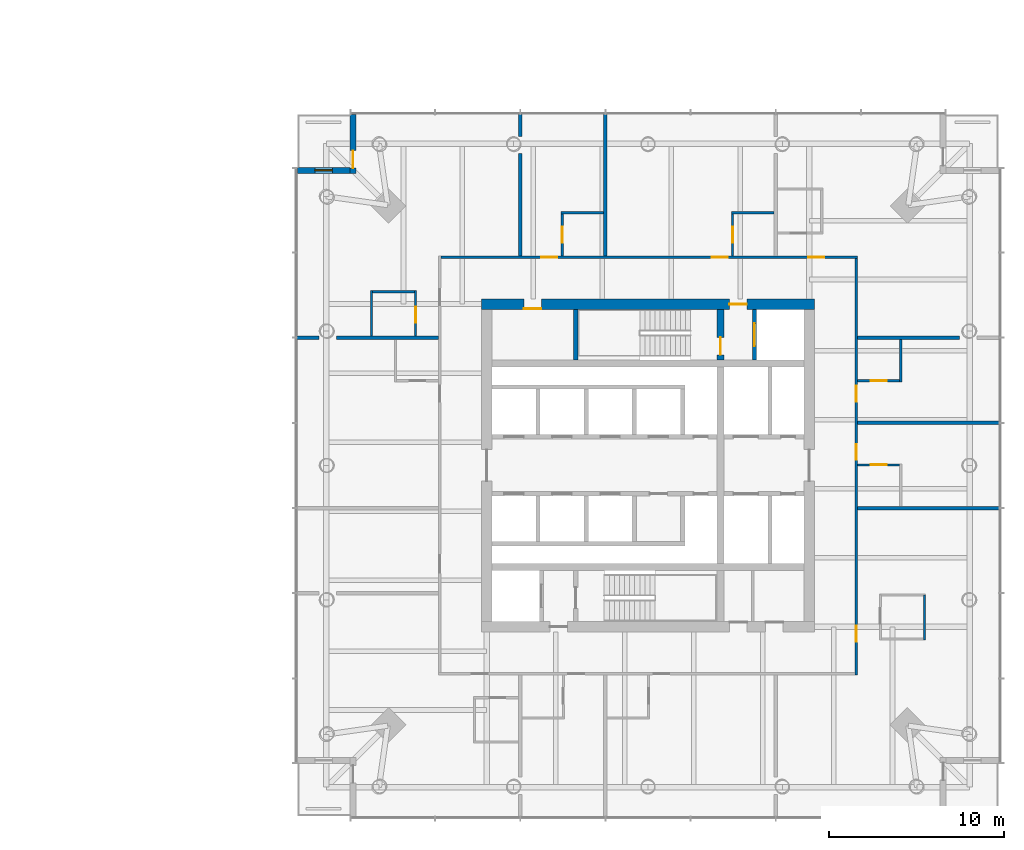
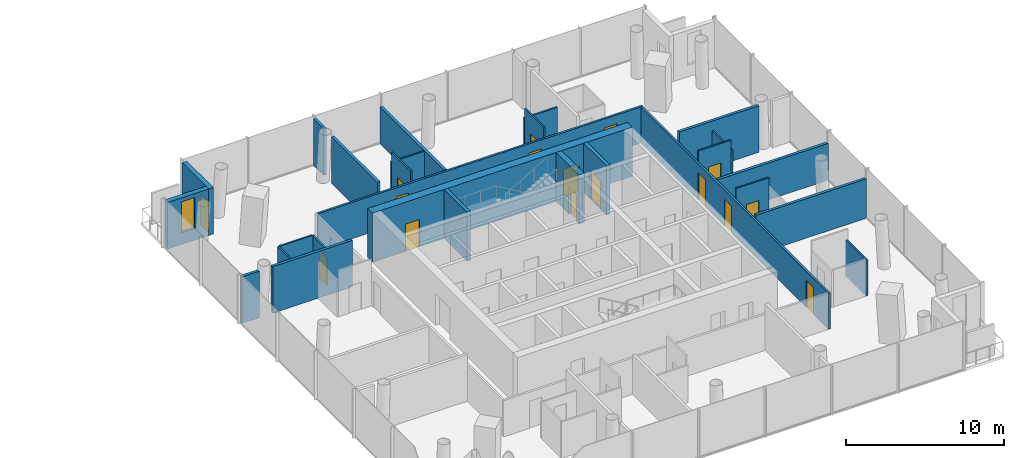
# One storey, part 15 of 26: 27 walls, 16 doors, 1 window, 17 openings.
"""IFC4 building model written with IfcOpenShell, lengths in metres."""

import ifcopenshell
import ifcopenshell.guid

model = None  # the IFC model being written
_history = None  # IfcOwnerHistory: only IFC2X3 demands one
_inside = {}  # id of a spatial element -> (the spatial element, [elements in it])
_under = {}  # id of a project, library or spatial element -> (it, [spatial elements below it])
_declared = {}  # id of a project -> (the project, [libraries it declares])
_typed = {}  # id of a type object -> (the type object, [elements of that type])
_made_of = {}  # id of a material, layer set ... -> (it, [elements and type objects made of it])


def new_model(schema):
    """Start an empty IFC model of exactly this schema.

    Asked for "IFC4X3", IfcOpenShell would pick the latest addendum, in which some entities
    have other attributes; the version numbers below select the first issue.
    IFC2X3 requires an IfcOwnerHistory on every rooted entity: one is made here for all.
    """
    global model, _history
    if schema == "IFC4X3":
        model = ifcopenshell.file(schema_version=(4, 3, 0, 0))
    else:
        model = ifcopenshell.file(schema=schema)
    _inside.clear()
    _under.clear()
    _declared.clear()
    _typed.clear()
    _made_of.clear()
    _history = None
    if model.schema == "IFC2X3":
        org = make("IfcOrganization", Name="unknown")
        user = make(
            "IfcPersonAndOrganization",
            ThePerson=make("IfcPerson", FamilyName="unknown"),
            TheOrganization=org,
        )
        app = make(
            "IfcApplication",
            ApplicationDeveloper=org,
            Version="unknown",
            ApplicationFullName="unknown",
            ApplicationIdentifier="unknown",
        )
        _history = make(
            "IfcOwnerHistory",
            OwningUser=user,
            OwningApplication=app,
            ChangeAction="ADDED",
            CreationDate=0,
        )
    return model


def make(cls, **values):
    """One entity of the class cls with the attributes given. An attribute that is None is left unset."""
    return model.create_entity(
        cls, **{name: value for name, value in values.items() if value is not None}
    )


def rooted(cls, **values):
    """An entity with a GlobalId (a new one), such as an element, a storey or a relation."""
    return make(cls, GlobalId=ifcopenshell.guid.new(), OwnerHistory=_history, **values)


def si_unit(unit_type, name, prefix=None):
    """IfcSIUnit, for example si_unit("LENGTHUNIT", "METRE", prefix="MILLI")."""
    return make("IfcSIUnit", UnitType=unit_type, Prefix=prefix, Name=name)


def assignment(units):
    """IfcUnitAssignment: the units of a project."""
    return None if units is None else make("IfcUnitAssignment", Units=units)


def point(xyz):
    """IfcCartesianPoint."""
    return None if xyz is None else make("IfcCartesianPoint", Coordinates=xyz)


def direction(xyz):
    """IfcDirection."""
    return None if xyz is None else make("IfcDirection", DirectionRatios=xyz)


def frame(location, z_axis=None, x_axis=None):
    """IfcAxis2Placement3D, a coordinate frame: its origin and axes. An axis left out is left unset."""
    return make(
        "IfcAxis2Placement3D",
        Location=point(location),
        Axis=direction(z_axis),
        RefDirection=direction(x_axis),
    )


def frame_2d(location, x_axis=None):
    """IfcAxis2Placement2D, a coordinate frame in the plane: its origin and x axis."""
    return make(
        "IfcAxis2Placement2D", Location=point(location), RefDirection=direction(x_axis)
    )


def origin():
    """The frame at (0, 0, 0) with its axes left unset."""
    return frame((0.0, 0.0, 0.0))


def place(relative_to, where):
    """IfcLocalPlacement: puts the frame where relative to a parent placement (None: the world)."""
    return make(
        "IfcLocalPlacement", PlacementRelTo=relative_to, RelativePlacement=where
    )


def context(
    kind, dimensions, precision=None, world=None, true_north=None, identifier=None
):
    """IfcGeometricRepresentationContext, for example the 3D "Model" context."""
    return make(
        "IfcGeometricRepresentationContext",
        ContextIdentifier=identifier,
        ContextType=kind,
        CoordinateSpaceDimension=dimensions,
        Precision=precision,
        WorldCoordinateSystem=world,
        TrueNorth=true_north,
    )


def subcontext(parent, identifier, kind, view, scale=None):
    """IfcGeometricRepresentationSubContext, for example "Body" below "Model"."""
    return make(
        "IfcGeometricRepresentationSubContext",
        ContextIdentifier=identifier,
        ContextType=kind,
        ParentContext=parent,
        TargetScale=scale,
        TargetView=view,
    )


def project(units=None, contexts=None):
    """IfcProject with its units and contexts."""
    return rooted(
        "IfcProject",
        Name="project",
        RepresentationContexts=contexts,
        UnitsInContext=assignment(units),
    )


def spatial(cls, under=None, at=None, **own):
    """A site, building, storey or space (cls), placed at a placement, below another one or the project."""
    s = rooted(cls, ObjectPlacement=at, **own)
    if under is not None:
        _under.setdefault(under.id(), (under, []))[1].append(s)
    return s


def profile(cls, at=None, kind="AREA", **sizes):
    """A parametric profile (cls). Its sizes go by their IFC names, for example OverallWidth=200.0."""
    return make(cls, ProfileType=kind, Position=at, **sizes)


def rectangle(**sizes):
    """IfcRectangleProfileDef."""
    return profile("IfcRectangleProfileDef", **sizes)


def extrude(swept, where, along, depth):
    """IfcExtrudedAreaSolid: the profile swept, set in the frame where, extruded along a direction by depth."""
    return make(
        "IfcExtrudedAreaSolid",
        SweptArea=swept,
        Position=where,
        ExtrudedDirection=direction(along),
        Depth=depth,
    )


def shape(context_of_items, identifier, shape_type, items):
    """IfcShapeRepresentation: the items that make up one representation, for example the "Body"."""
    return make(
        "IfcShapeRepresentation",
        ContextOfItems=context_of_items,
        RepresentationIdentifier=identifier,
        RepresentationType=shape_type,
        Items=items,
    )


def material(Name=None, Category=None):
    """IfcMaterial."""
    return make("IfcMaterial", Name=Name, Category=Category)


def layer(
    of_material, thickness, ventilated=None, Name=None, Category=None, Priority=None
):
    """IfcMaterialLayer: one layer of a wall or slab, of a material (None: an air gap)."""
    return make(
        "IfcMaterialLayer",
        Material=of_material,
        LayerThickness=thickness,
        IsVentilated=ventilated,
        Name=Name,
        Category=Category,
        Priority=Priority,
    )


def layer_set(layers, Name=None):
    """IfcMaterialLayerSet."""
    return make("IfcMaterialLayerSet", MaterialLayers=layers, LayerSetName=Name)


def made_of(thing, what):
    """Note that an element or type object is made of a material, layer set ...; save() writes the relation."""
    if what is not None:
        _made_of.setdefault(what.id(), (what, []))[1].append(thing)
    return thing


def type_object(cls, material=None, **own):
    """A type object (cls), such as IfcWallType, which elements share."""
    return made_of(rooted(cls, **own), material)


def element(
    cls,
    number,
    at=None,
    inside=None,
    cuts=None,
    type_object=None,
    material=None,
    context=None,
    identifier="Body",
    shape_type=None,
    held_by="IfcProductDefinitionShape",
    body=None,
    shapes=None,
    **own,
):
    """One element of the class cls, such as IfcWall. Its Tag is "e" and its number.

    at: its placement. inside: the storey or other place that contains it. cuts: it is an
    opening in that element (IfcRelVoidsElement). A single representation is given by context,
    identifier, shape_type and body (its items); several are given by shapes. held_by: the class
    of the entity that holds the representations. save() writes the other relations.
    """
    e = rooted(cls, Tag="e%d" % number, ObjectPlacement=at, **own)
    if body is not None:
        shapes = [shape(context, identifier, shape_type, body)]
    if shapes is not None:
        e.Representation = make(held_by, Representations=shapes)
    if inside is not None:
        _inside.setdefault(inside.id(), (inside, []))[1].append(e)
    if cuts is not None:
        rooted(
            "IfcRelVoidsElement", RelatingBuildingElement=cuts, RelatedOpeningElement=e
        )
    if type_object is not None:
        _typed.setdefault(type_object.id(), (type_object, []))[1].append(e)
    return made_of(e, material)


def fill(opening, filler):
    """IfcRelFillsElement: the door or window that sits in an opening."""
    return rooted(
        "IfcRelFillsElement",
        RelatingOpeningElement=opening,
        RelatedBuildingElement=filler,
    )


def aggregate(whole, parts):
    """IfcRelAggregates: a whole, such as a stair, and the parts it consists of."""
    return rooted("IfcRelAggregates", RelatingObject=whole, RelatedObjects=parts)


def save(model, path):
    """Write the relations noted so far, then the file.

    IfcRelAggregates (storeys below a building ...), IfcRelContainedInSpatialStructure (elements
    in a storey), IfcRelDefinesByType, IfcRelAssociatesMaterial and IfcRelDeclares: one each for
    every whole, place, type object, material and project.
    """
    for whole, parts in _under.values():
        aggregate(whole, parts)
    for where, things in _inside.values():
        rooted(
            "IfcRelContainedInSpatialStructure",
            RelatedElements=things,
            RelatingStructure=where,
        )
    for kind, things in _typed.values():
        rooted("IfcRelDefinesByType", RelatedObjects=things, RelatingType=kind)
    for what, things in _made_of.values():
        rooted("IfcRelAssociatesMaterial", RelatedObjects=things, RelatingMaterial=what)
    for by, libraries in _declared.values():
        rooted("IfcRelDeclares", RelatingContext=by, RelatedDefinitions=libraries)
    model.write(path)


model = new_model("IFC4")

# Units and contexts
model_context = context("Model", 3, precision=1e-05, world=origin(), true_north=direction((0.0, 1.0)))
body_context = subcontext(model_context, "Body", "Model", "MODEL_VIEW")
ifc_project = project(units=[si_unit("LENGTHUNIT", "METRE"), si_unit("AREAUNIT", "SQUARE_METRE"), si_unit("VOLUMEUNIT", "CUBIC_METRE"), si_unit("PLANEANGLEUNIT", "RADIAN"), si_unit("MASSUNIT", "GRAM", prefix="KILO")], contexts=[model_context])

# Site, building, storey
site_placement = place(None, origin())
site = spatial("IfcSite", under=ifc_project, at=site_placement, CompositionType="ELEMENT")
building_placement = place(site_placement, origin())
building = spatial("IfcBuilding", under=site, at=building_placement, Name="Ostroluk Exchange", CompositionType="ELEMENT")
storey_placement = place(building_placement, frame((0.0, 0.0, 36.199951171875)))
storey = spatial("IfcBuildingStorey", under=building, at=storey_placement, Name="L08", CompositionType="ELEMENT", Elevation=36.199951171875)

# Wall, opening, door
ifc_material_1 = material(Name="Concrete C50/60", Category="concrete")
ifc_layer_1 = layer(ifc_material_1, 0.39990234375)
ifc_layer_set_1 = layer_set([ifc_layer_1], Name="Core cross wall 400 C50/60")
wall_type_1 = type_object("IfcWallType", Name="Core cross wall 400 C50/60", PredefinedType="SHEAR", material=ifc_layer_set_1)
wall_1_placement = place(storey_placement, frame((121.1298828125, 52.0, 0.0), z_axis=(0.0, 0.0, 1.0), x_axis=(0.0, 1.0, 0.0)))
wall_1 = element("IfcWall", 1, at=wall_1_placement, inside=storey, type_object=wall_type_1, Name="T2 core wall YE3", PredefinedType="SHEAR", context=body_context, shape_type="SweptSolid", body=[
    extrude(rectangle(XDim=2.89990234375, YDim=0.39990234375, at=frame_2d((1.449951171875, 0.0))), origin(), (0.0, 0.0, 1.0), 3.800048828125),
])
opening_1_placement = place(wall_1_placement, frame((0.300048828125, 0.0, 0.0)))
opening_1 = element("IfcOpeningElement", 2, at=opening_1_placement, cuts=wall_1, Name="Opening FD60", PredefinedType="OPENING", context=body_context, shape_type="SweptSolid", body=[
    extrude(rectangle(XDim=1.0, YDim=2.10009765625, at=frame_2d((0.5, 1.050048828125))), frame((0.0, 0.2099609375, 0.0), z_axis=(0.0, -1.0, 0.0), x_axis=(1.0, 0.0, 0.0)), (0.0, 0.0, 1.0), 0.419921875),
])
ifc_material_2 = material(Name="Steel", Category="steel")
door_type_1 = type_object("IfcDoorType", Name="Fire door EI 60 1000 x 2100", OperationType="SINGLE_SWING_LEFT", PredefinedType="DOOR", material=ifc_material_2)
door_1_placement = place(opening_1_placement, origin())
door_1 = element("IfcDoor", 3, at=door_1_placement, inside=storey, type_object=door_type_1, Name="Stair T2-S2 door", OperationType="SINGLE_SWING_LEFT", OverallHeight=2.10009765625, OverallWidth=1.0, PredefinedType="DOOR", context=body_context, shape_type="SweptSolid", body=[
    extrude(rectangle(XDim=1.0, YDim=2.10009765625, at=frame_2d((0.5, 1.050048828125))), frame((0.0, 0.02490234375, 0.0), z_axis=(0.0, -1.0, 0.0), x_axis=(1.0, 0.0, 0.0)), (0.0, 0.0, 1.0), 0.050048828125),
])
fill(opening_1, door_1)

# Wall
ifc_material_3 = material(Name="Concrete C40/50", Category="concrete")
ifc_layer_2 = layer(ifc_material_3, 0.25)
ifc_layer_set_2 = layer_set([ifc_layer_2], Name="Core shaft wall 250")
wall_type_2 = type_object("IfcWallType", Name="Core shaft wall 250", PredefinedType="SHEAR", material=ifc_layer_set_2)
wall_2_placement = place(storey_placement, frame((112.875, 52.0, 0.0), z_axis=(0.0, 0.0, 1.0), x_axis=(0.0, 1.0, 0.0)))
element("IfcWall", 4, at=wall_2_placement, inside=storey, type_object=wall_type_2, Name="Stair shaft wall", PredefinedType="SHEAR", context=body_context, shape_type="SweptSolid", body=[
    extrude(rectangle(XDim=2.89990234375, YDim=0.25, at=frame_2d((1.449951171875, 0.0))), origin(), (0.0, 0.0, 1.0), 3.800048828125),
])

# Wall, opening, door
wall_3_placement = place(storey_placement, frame((123.074951171875, 52.0, 0.0), z_axis=(0.0, 0.0, 1.0), x_axis=(0.0, 1.0, 0.0)))
wall_3 = element("IfcWall", 5, at=wall_3_placement, inside=storey, type_object=wall_type_2, Name="Firefighting lift shaft wall", PredefinedType="SHEAR", context=body_context, shape_type="SweptSolid", body=[
    extrude(rectangle(XDim=2.89990234375, YDim=0.25, at=frame_2d((1.449951171875, 0.0))), origin(), (0.0, 0.0, 1.0), 3.800048828125),
])
opening_2_placement = place(wall_3_placement, frame((0.800048828125, 0.0, 0.0)))
opening_2 = element("IfcOpeningElement", 6, at=opening_2_placement, cuts=wall_3, Name="Opening LD2", PredefinedType="OPENING", context=body_context, shape_type="SweptSolid", body=[
    extrude(rectangle(XDim=1.300048828125, YDim=2.199951171875, at=frame_2d((0.64990234375, 1.10009765625))), frame((0.0, 0.135009765625, 0.0), z_axis=(0.0, -1.0, 0.0), x_axis=(1.0, 0.0, 0.0)), (0.0, 0.0, 1.0), 0.27001953125),
])
ifc_material_4 = material(Name="Stainless steel", Category="steel")
door_type_2 = type_object("IfcDoorType", Name="Lift landing door E 60 1300 x 2200", OperationType="DOUBLE_DOOR_SLIDING", PredefinedType="DOOR", material=ifc_material_4)
door_2_placement = place(opening_2_placement, origin())
door_2 = element("IfcDoor", 7, at=door_2_placement, inside=storey, type_object=door_type_2, Name="Lift HF2 landing door", OperationType="DOUBLE_DOOR_SLIDING", OverallHeight=2.199951171875, OverallWidth=1.300048828125, PredefinedType="DOOR", context=body_context, shape_type="SweptSolid", body=[
    extrude(rectangle(XDim=1.300048828125, YDim=2.199951171875, at=frame_2d((0.64990234375, 1.10009765625))), frame((0.0, 0.02490234375, 0.0), z_axis=(0.0, -1.0, 0.0), x_axis=(1.0, 0.0, 0.0)), (0.0, 0.0, 1.0), 0.050048828125),
])
fill(opening_2, door_2)

# Wall, openings, doors
ifc_material_5 = material(Name="Concrete C50/60", Category="concrete")
ifc_layer_3 = layer(ifc_material_5, 0.60009765625)
ifc_layer_set_3 = layer_set([ifc_layer_3], Name="Core wall 600 C50/60")
wall_type_3 = type_object("IfcWallType", Name="Core wall 600 C50/60", PredefinedType="SHEAR", material=ifc_layer_set_3)
wall_4_placement = place(storey_placement, frame((107.5, 55.199951171875, 0.0), z_axis=(0.0, 0.0, 1.0), x_axis=(1.0, 0.0, 0.0)))
wall_4 = element("IfcWall", 8, at=wall_4_placement, inside=storey, type_object=wall_type_3, Name="T2 core wall N", PredefinedType="SHEAR", context=body_context, shape_type="SweptSolid", body=[
    extrude(rectangle(XDim=19.0, YDim=0.60009765625, at=frame_2d((9.5, 0.0))), origin(), (0.0, 0.0, 1.0), 3.800048828125),
])
opening_3_placement = place(wall_4_placement, frame((14.139892578125, 0.0, 0.0)))
opening_3 = element("IfcOpeningElement", 9, at=opening_3_placement, cuts=wall_4, Name="Opening FD60", PredefinedType="OPENING", context=body_context, shape_type="SweptSolid", body=[
    extrude(rectangle(XDim=1.0, YDim=2.10009765625, at=frame_2d((0.5, 1.050048828125))), frame((0.0, 0.31005859375, 0.0), z_axis=(0.0, -1.0, 0.0), x_axis=(1.0, 0.0, 0.0)), (0.0, 0.0, 1.0), 0.6201171875),
])
opening_4_placement = place(wall_4_placement, frame((2.425048828125, 0.0, 0.0)))
opening_4 = element("IfcOpeningElement", 10, at=opening_4_placement, cuts=wall_4, Name="Opening FD60", PredefinedType="OPENING", context=body_context, shape_type="SweptSolid", body=[
    extrude(rectangle(XDim=1.0, YDim=2.10009765625, at=frame_2d((0.5, 1.050048828125))), frame((0.0, 0.31005859375, 0.0), z_axis=(0.0, -1.0, 0.0), x_axis=(1.0, 0.0, 0.0)), (0.0, 0.0, 1.0), 0.6201171875),
])
door_3_placement = place(opening_3_placement, origin())
door_3 = element("IfcDoor", 11, at=door_3_placement, inside=storey, type_object=door_type_1, Name="Firefighting lobby door", OperationType="SINGLE_SWING_RIGHT", OverallHeight=2.10009765625, OverallWidth=1.0, PredefinedType="DOOR", context=body_context, shape_type="SweptSolid", body=[
    extrude(rectangle(XDim=1.0, YDim=2.10009765625, at=frame_2d((0.5, 1.050048828125))), frame((0.0, 0.02490234375, 0.0), z_axis=(0.0, -1.0, 0.0), x_axis=(1.0, 0.0, 0.0)), (0.0, 0.0, 1.0), 0.050048828125),
])
fill(opening_3, door_3)
door_4_placement = place(opening_4_placement, origin())
door_4 = element("IfcDoor", 12, at=door_4_placement, inside=storey, type_object=door_type_1, Name="Guest pantry door", OperationType="SINGLE_SWING_LEFT", OverallHeight=2.10009765625, OverallWidth=1.0, PredefinedType="DOOR", context=body_context, shape_type="SweptSolid", body=[
    extrude(rectangle(XDim=1.0, YDim=2.10009765625, at=frame_2d((0.5, 1.050048828125))), frame((0.0, -0.23974609375, 0.0), z_axis=(0.0, -1.0, 0.0), x_axis=(1.0, 0.0, 0.0)), (0.0, 0.0, 1.0), 0.050048828125),
])
fill(opening_4, door_4)

# Wall, opening, door
ifc_material_6 = material(Name="Limestone", Category="masonry")
ifc_layer_4 = layer(ifc_material_6, 0.35009765625)
ifc_layer_set_4 = layer_set([ifc_layer_4], Name="Limestone facade wall 350")
wall_type_4 = type_object("IfcWallType", Name="Limestone facade wall 350", PredefinedType="SOLIDWALL", material=ifc_layer_set_4)
wall_5_placement = place(storey_placement, frame((100.175048828125, 66.0, 0.0), z_axis=(0.0, 0.0, 1.0), x_axis=(0.0, -1.0, 0.0)))
wall_5 = element("IfcWall", 13, at=wall_5_placement, inside=storey, type_object=wall_type_4, Name="Hotel tower NW corner wall L08 a", PredefinedType="SOLIDWALL", context=body_context, shape_type="SweptSolid", body=[
    extrude(rectangle(XDim=3.35009765625, YDim=0.35009765625, at=frame_2d((1.675048828125, 0.0))), origin(), (0.0, 0.0, 1.0), 3.60009765625),
])
opening_5_placement = place(wall_5_placement, frame((2.050048828125, 0.0, 0.0)))
opening_5 = element("IfcOpeningElement", 14, at=opening_5_placement, cuts=wall_5, Name="Opening D-B1", PredefinedType="OPENING", context=body_context, shape_type="SweptSolid", body=[
    extrude(rectangle(XDim=1.0, YDim=2.39990234375, at=frame_2d((0.5, 1.199951171875))), frame((0.0, 0.18505859375, 0.0), z_axis=(0.0, -1.0, 0.0), x_axis=(1.0, 0.0, 0.0)), (0.0, 0.0, 1.0), 0.3701171875),
])
ifc_material_7 = material(Name="Bronze framed glazed door", Category="aluminium")
door_type_3 = type_object("IfcDoorType", Name="Balcony door 1000 x 2400", OperationType="SINGLE_SWING_LEFT", PredefinedType="DOOR", material=ifc_material_7)
door_5_placement = place(opening_5_placement, origin())
door_5 = element("IfcDoor", 15, at=door_5_placement, inside=storey, type_object=door_type_3, Name="Hotel tower NW balcony door L08", OperationType="SINGLE_SWING_RIGHT", OverallHeight=2.39990234375, OverallWidth=1.0, PredefinedType="DOOR", context=body_context, shape_type="SweptSolid", body=[
    extrude(rectangle(XDim=1.0, YDim=2.39990234375, at=frame_2d((0.5, 1.199951171875))), frame((0.0, 0.02490234375, 0.0), z_axis=(0.0, -1.0, 0.0), x_axis=(1.0, 0.0, 0.0)), (0.0, 0.0, 1.0), 0.050048828125),
])
fill(opening_5, door_5)

# Wall, opening, window
wall_6_placement = place(storey_placement, frame((100.0, 62.824951171875, 0.0), z_axis=(0.0, 0.0, 1.0), x_axis=(-1.0, 0.0, 0.0)))
wall_6 = element("IfcWall", 16, at=wall_6_placement, inside=storey, type_object=wall_type_4, Name="Hotel tower NW corner wall L08 b", PredefinedType="SOLIDWALL", context=body_context, shape_type="SweptSolid", body=[
    extrude(rectangle(XDim=3.0, YDim=0.35009765625, at=frame_2d((1.5, 0.0))), origin(), (0.0, 0.0, 1.0), 3.60009765625),
])
opening_6_placement = place(wall_6_placement, frame((1.0, 0.0, 0.89990234375)))
opening_6 = element("IfcOpeningElement", 17, at=opening_6_placement, cuts=wall_6, Name="Opening WN-L3", PredefinedType="OPENING", context=body_context, shape_type="SweptSolid", body=[
    extrude(rectangle(XDim=1.0, YDim=2.39990234375, at=frame_2d((0.5, 1.199951171875))), frame((0.0, 0.18505859375, 0.0), z_axis=(0.0, -1.0, 0.0), x_axis=(1.0, 0.0, 0.0)), (0.0, 0.0, 1.0), 0.3701171875),
])
ifc_material_8 = material(Name="Laminated clear glass", Category="glass")
window_type = type_object("IfcWindowType", Name="Hotel lancet window 1000 x 2400", PartitioningType="SINGLE_PANEL", PredefinedType="WINDOW", material=ifc_material_8)
window_placement = place(opening_6_placement, origin())
window = element("IfcWindow", 18, at=window_placement, inside=storey, type_object=window_type, Name="Hotel tower NW lancet window L08", OverallHeight=2.39990234375, OverallWidth=1.0, PartitioningType="SINGLE_PANEL", PredefinedType="WINDOW", context=body_context, shape_type="SweptSolid", body=[
    extrude(rectangle(XDim=1.0, YDim=2.39990234375, at=frame_2d((0.5, 1.199951171875))), frame((0.0, 0.030029296875, 0.0), z_axis=(0.0, -1.0, 0.0), x_axis=(1.0, 0.0, 0.0)), (0.0, 0.0, 1.0), 0.06005859375),
])
fill(opening_6, window)

# Wall
ifc_material_9 = material(Name="Gypsum plasterboard partition, moisture resistant", Category="gypsum")
ifc_layer_5 = layer(ifc_material_9, 0.1201171875)
ifc_layer_set_5 = layer_set([ifc_layer_5], Name="Plasterboard en-suite wall 120")
wall_type_5 = type_object("IfcWallType", Name="Plasterboard en-suite wall 120", PredefinedType="PARTITIONING", material=ifc_layer_set_5)
wall_7_placement = place(storey_placement, frame((132.77001953125, 38.6142578125, 0.0), z_axis=(0.0, 0.0, 1.0), x_axis=(0.0, -1.0, 0.0)))
element("IfcWall", 19, at=wall_7_placement, inside=storey, type_object=wall_type_5, Name="En-suite wall", PredefinedType="PARTITIONING", context=body_context, shape_type="SweptSolid", body=[
    extrude(rectangle(XDim=2.580078125, YDim=0.1201171875, at=frame_2d((1.2900390625, 0.0))), origin(), (0.0, 0.0, 1.0), 2.800048828125),
])

# Wall, opening, door
wall_8_placement = place(storey_placement, frame((128.949951171875, 46.031494140625, 0.0), z_axis=(0.0, 0.0, 1.0), x_axis=(1.0, 0.0, 0.0)))
wall_8 = element("IfcWall", 20, at=wall_8_placement, inside=storey, type_object=wall_type_5, Name="En-suite wall", PredefinedType="PARTITIONING", context=body_context, shape_type="SweptSolid", body=[
    extrude(rectangle(XDim=2.400146484375, YDim=0.1201171875, at=frame_2d((1.2001953125, 0.0))), origin(), (0.0, 0.0, 1.0), 3.60009765625),
])
opening_7_placement = place(wall_8_placement, frame((0.75, 0.0, 0.0)))
opening_7 = element("IfcOpeningElement", 21, at=opening_7_placement, cuts=wall_8, Name="Opening D-02", PredefinedType="OPENING", context=body_context, shape_type="SweptSolid", body=[
    extrude(rectangle(XDim=0.89990234375, YDim=2.10009765625, at=frame_2d((0.449951171875, 1.050048828125))), frame((0.0, 0.070068359375, 0.0), z_axis=(0.0, -1.0, 0.0), x_axis=(1.0, 0.0, 0.0)), (0.0, 0.0, 1.0), 0.14013671875),
])
ifc_material_10 = material(Name="Timber", Category="wood")
door_type_4 = type_object("IfcDoorType", Name="En-suite door 900 x 2100", OperationType="SINGLE_SWING_LEFT", PredefinedType="DOOR", material=ifc_material_10)
door_6_placement = place(opening_7_placement, origin())
door_6 = element("IfcDoor", 22, at=door_6_placement, inside=storey, type_object=door_type_4, Name="En-suite door 802", OperationType="SINGLE_SWING_LEFT", OverallHeight=2.10009765625, OverallWidth=0.89990234375, PredefinedType="DOOR", context=body_context, shape_type="SweptSolid", body=[
    extrude(rectangle(XDim=0.89990234375, YDim=2.10009765625, at=frame_2d((0.449951171875, 1.050048828125))), frame((0.0, 0.02490234375, 0.0), z_axis=(0.0, -1.0, 0.0), x_axis=(1.0, 0.0, 0.0)), (0.0, 0.0, 1.0), 0.050048828125),
])
fill(opening_7, door_6)

# Wall
wall_9_placement = place(storey_placement, frame((131.409912109375, 50.765625, 0.0), z_axis=(0.0, 0.0, 1.0), x_axis=(0.0, 1.0, 0.0)))
element("IfcWall", 23, at=wall_9_placement, inside=storey, type_object=wall_type_5, Name="En-suite wall", PredefinedType="PARTITIONING", context=body_context, shape_type="SweptSolid", body=[
    extrude(rectangle(XDim=2.420166015625, YDim=0.1201171875, at=frame_2d((1.2099609375, 0.0))), origin(), (0.0, 0.0, 1.0), 2.84716796875),
])

# Wall, opening, door
wall_10_placement = place(storey_placement, frame((128.949951171875, 50.82568359375, 0.0), z_axis=(0.0, 0.0, 1.0), x_axis=(1.0, 0.0, 0.0)))
wall_10 = element("IfcWall", 24, at=wall_10_placement, inside=storey, type_object=wall_type_5, Name="En-suite wall", PredefinedType="PARTITIONING", context=body_context, shape_type="SweptSolid", body=[
    extrude(rectangle(XDim=2.400146484375, YDim=0.1201171875, at=frame_2d((1.2001953125, 0.0))), origin(), (0.0, 0.0, 1.0), 3.60009765625),
])
opening_8_placement = place(wall_10_placement, frame((0.75, 0.0, 0.0)))
opening_8 = element("IfcOpeningElement", 25, at=opening_8_placement, cuts=wall_10, Name="Opening D-02", PredefinedType="OPENING", context=body_context, shape_type="SweptSolid", body=[
    extrude(rectangle(XDim=0.89990234375, YDim=2.10009765625, at=frame_2d((0.449951171875, 1.050048828125))), frame((0.0, 0.070068359375, 0.0), z_axis=(0.0, -1.0, 0.0), x_axis=(1.0, 0.0, 0.0)), (0.0, 0.0, 1.0), 0.14013671875),
])
door_7_placement = place(opening_8_placement, origin())
door_7 = element("IfcDoor", 26, at=door_7_placement, inside=storey, type_object=door_type_4, Name="En-suite door 803", OperationType="SINGLE_SWING_LEFT", OverallHeight=2.10009765625, OverallWidth=0.89990234375, PredefinedType="DOOR", context=body_context, shape_type="SweptSolid", body=[
    extrude(rectangle(XDim=0.89990234375, YDim=2.10009765625, at=frame_2d((0.449951171875, 1.050048828125))), frame((0.0, 0.02490234375, 0.0), z_axis=(0.0, -1.0, 0.0), x_axis=(1.0, 0.0, 0.0)), (0.0, 0.0, 1.0), 0.050048828125),
])
fill(opening_8, door_7)

# Wall
wall_11_placement = place(storey_placement, frame((124.185791015625, 60.409912109375, 0.0), z_axis=(0.0, 0.0, 1.0), x_axis=(-1.0, 0.0, 0.0)))
element("IfcWall", 27, at=wall_11_placement, inside=storey, type_object=wall_type_5, Name="En-suite wall", PredefinedType="PARTITIONING", context=body_context, shape_type="SweptSolid", body=[
    extrude(rectangle(XDim=2.420166015625, YDim=0.1201171875, at=frame_2d((1.2099609375, 0.0))), origin(), (0.0, 0.0, 1.0), 2.84716796875),
])

# Wall, opening, door
wall_12_placement = place(storey_placement, frame((121.82568359375, 57.949951171875, 0.0), z_axis=(0.0, 0.0, 1.0), x_axis=(0.0, 1.0, 0.0)))
wall_12 = element("IfcWall", 28, at=wall_12_placement, inside=storey, type_object=wall_type_5, Name="En-suite wall", PredefinedType="PARTITIONING", context=body_context, shape_type="SweptSolid", body=[
    extrude(rectangle(XDim=2.400146484375, YDim=0.1201171875, at=frame_2d((1.2001953125, 0.0))), origin(), (0.0, 0.0, 1.0), 3.60009765625),
])
opening_9_placement = place(wall_12_placement, frame((0.75, 0.0, 0.0)))
opening_9 = element("IfcOpeningElement", 29, at=opening_9_placement, cuts=wall_12, Name="Opening D-02", PredefinedType="OPENING", context=body_context, shape_type="SweptSolid", body=[
    extrude(rectangle(XDim=0.89990234375, YDim=2.10009765625, at=frame_2d((0.449951171875, 1.050048828125))), frame((0.0, 0.070068359375, 0.0), z_axis=(0.0, -1.0, 0.0), x_axis=(1.0, 0.0, 0.0)), (0.0, 0.0, 1.0), 0.14013671875),
])
door_8_placement = place(opening_9_placement, origin())
door_8 = element("IfcDoor", 30, at=door_8_placement, inside=storey, type_object=door_type_4, Name="En-suite door 805", OperationType="SINGLE_SWING_RIGHT", OverallHeight=2.10009765625, OverallWidth=0.89990234375, PredefinedType="DOOR", context=body_context, shape_type="SweptSolid", body=[
    extrude(rectangle(XDim=0.89990234375, YDim=2.10009765625, at=frame_2d((0.449951171875, 1.050048828125))), frame((0.0, 0.02490234375, 0.0), z_axis=(0.0, -1.0, 0.0), x_axis=(1.0, 0.0, 0.0)), (0.0, 0.0, 1.0), 0.050048828125),
])
fill(opening_9, door_8)

# Wall
wall_13_placement = place(storey_placement, frame((114.471435546875, 60.409912109375, 0.0), z_axis=(0.0, 0.0, 1.0), x_axis=(-1.0, 0.0, 0.0)))
element("IfcWall", 31, at=wall_13_placement, inside=storey, type_object=wall_type_5, Name="En-suite wall", PredefinedType="PARTITIONING", context=body_context, shape_type="SweptSolid", body=[
    extrude(rectangle(XDim=2.419921875, YDim=0.1201171875, at=frame_2d((1.2099609375, 0.0))), origin(), (0.0, 0.0, 1.0), 2.84716796875),
])

# Wall, opening, door
wall_14_placement = place(storey_placement, frame((112.111328125, 57.949951171875, 0.0), z_axis=(0.0, 0.0, 1.0), x_axis=(0.0, 1.0, 0.0)))
wall_14 = element("IfcWall", 32, at=wall_14_placement, inside=storey, type_object=wall_type_5, Name="En-suite wall", PredefinedType="PARTITIONING", context=body_context, shape_type="SweptSolid", body=[
    extrude(rectangle(XDim=2.400146484375, YDim=0.1201171875, at=frame_2d((1.2001953125, 0.0))), origin(), (0.0, 0.0, 1.0), 3.60009765625),
])
opening_10_placement = place(wall_14_placement, frame((0.75, 0.0, 0.0)))
opening_10 = element("IfcOpeningElement", 33, at=opening_10_placement, cuts=wall_14, Name="Opening D-02", PredefinedType="OPENING", context=body_context, shape_type="SweptSolid", body=[
    extrude(rectangle(XDim=0.89990234375, YDim=2.10009765625, at=frame_2d((0.449951171875, 1.050048828125))), frame((0.0, 0.070068359375, 0.0), z_axis=(0.0, -1.0, 0.0), x_axis=(1.0, 0.0, 0.0)), (0.0, 0.0, 1.0), 0.14013671875),
])
door_9_placement = place(opening_10_placement, origin())
door_9 = element("IfcDoor", 34, at=door_9_placement, inside=storey, type_object=door_type_4, Name="En-suite door 806", OperationType="SINGLE_SWING_RIGHT", OverallHeight=2.10009765625, OverallWidth=0.89990234375, PredefinedType="DOOR", context=body_context, shape_type="SweptSolid", body=[
    extrude(rectangle(XDim=0.89990234375, YDim=2.10009765625, at=frame_2d((0.449951171875, 1.050048828125))), frame((0.0, 0.02490234375, 0.0), z_axis=(0.0, -1.0, 0.0), x_axis=(1.0, 0.0, 0.0)), (0.0, 0.0, 1.0), 0.050048828125),
])
fill(opening_10, door_9)

wall_15_placement = place(storey_placement, frame((103.75, 53.3857421875, 0.0), z_axis=(0.0, 0.0, 1.0), x_axis=(0.0, 1.0, 0.0)))
wall_15 = element("IfcWall", 35, at=wall_15_placement, inside=storey, type_object=wall_type_5, Name="En-suite wall", PredefinedType="PARTITIONING", context=body_context, shape_type="SweptSolid", body=[
    extrude(rectangle(XDim=2.580078125, YDim=0.1201171875, at=frame_2d((1.2900390625, 0.0))), origin(), (0.0, 0.0, 1.0), 2.800048828125),
])
opening_11_placement = place(wall_15_placement, frame((0.75, 0.0, 0.0)))
opening_11 = element("IfcOpeningElement", 36, at=opening_11_placement, cuts=wall_15, Name="Opening D-02", PredefinedType="OPENING", context=body_context, shape_type="SweptSolid", body=[
    extrude(rectangle(XDim=0.89990234375, YDim=2.10009765625, at=frame_2d((0.449951171875, 1.050048828125))), frame((0.0, 0.070068359375, 0.0), z_axis=(0.0, -1.0, 0.0), x_axis=(1.0, 0.0, 0.0)), (0.0, 0.0, 1.0), 0.14013671875),
])
door_10_placement = place(opening_11_placement, origin())
door_10 = element("IfcDoor", 37, at=door_10_placement, inside=storey, type_object=door_type_4, Name="En-suite door 807", OperationType="SINGLE_SWING_LEFT", OverallHeight=2.10009765625, OverallWidth=0.89990234375, PredefinedType="DOOR", context=body_context, shape_type="SweptSolid", body=[
    extrude(rectangle(XDim=0.89990234375, YDim=2.10009765625, at=frame_2d((0.449951171875, 1.050048828125))), frame((0.0, 0.02490234375, 0.0), z_axis=(0.0, -1.0, 0.0), x_axis=(1.0, 0.0, 0.0)), (0.0, 0.0, 1.0), 0.050048828125),
])
fill(opening_11, door_10)

# Walls
wall_16_placement = place(storey_placement, frame((101.22998046875, 53.3857421875, 0.0), z_axis=(0.0, 0.0, 1.0), x_axis=(0.0, 1.0, 0.0)))
element("IfcWall", 38, at=wall_16_placement, inside=storey, type_object=wall_type_5, Name="En-suite wall", PredefinedType="PARTITIONING", context=body_context, shape_type="SweptSolid", body=[
    extrude(rectangle(XDim=2.580078125, YDim=0.1201171875, at=frame_2d((1.2900390625, 0.0))), origin(), (0.0, 0.0, 1.0), 2.800048828125),
])
wall_17_placement = place(storey_placement, frame((103.68994140625, 55.90576171875, 0.0), z_axis=(0.0, 0.0, 1.0), x_axis=(-1.0, 0.0, 0.0)))
element("IfcWall", 39, at=wall_17_placement, inside=storey, type_object=wall_type_5, Name="En-suite wall", PredefinedType="PARTITIONING", context=body_context, shape_type="SweptSolid", body=[
    extrude(rectangle(XDim=2.39990234375, YDim=0.1201171875, at=frame_2d((1.199951171875, 0.0))), origin(), (0.0, 0.0, 1.0), 2.84716796875),
])

# Wall, openings, doors
ifc_material_11 = material(Name="Gypsum plasterboard partition", Category="gypsum")
ifc_layer_6 = layer(ifc_material_11, 0.14990234375)
ifc_layer_set_6 = layer_set([ifc_layer_6], Name="Plasterboard partition 150")
wall_type_6 = type_object("IfcWallType", Name="Plasterboard partition 150", PredefinedType="PARTITIONING", material=ifc_layer_set_6)
wall_18_placement = place(storey_placement, frame((128.875, 34.050048828125, 0.0), z_axis=(0.0, 0.0, 1.0), x_axis=(0.0, 1.0, 0.0)))
wall_18 = element("IfcWall", 40, at=wall_18_placement, inside=storey, type_object=wall_type_6, Name="Corridor wall", PredefinedType="PARTITIONING", context=body_context, shape_type="SweptSolid", body=[
    extrude(rectangle(XDim=23.75, YDim=0.14990234375, at=frame_2d((11.875, 0.0))), origin(), (0.0, 0.0, 1.0), 2.800048828125),
])
opening_12_placement = place(wall_18_placement, frame((1.9072265625, 0.0, 0.0)))
opening_12 = element("IfcOpeningElement", 41, at=opening_12_placement, cuts=wall_18, Name="Opening D-01", PredefinedType="OPENING", context=body_context, shape_type="SweptSolid", body=[
    extrude(rectangle(XDim=0.89990234375, YDim=2.10009765625, at=frame_2d((0.449951171875, 1.050048828125))), frame((0.0, 0.0849609375, 0.0), z_axis=(0.0, -1.0, 0.0), x_axis=(1.0, 0.0, 0.0)), (0.0, 0.0, 1.0), 0.169921875),
])
opening_13_placement = place(wall_18_placement, frame((12.271484375, 0.0, 0.0)))
opening_13 = element("IfcOpeningElement", 42, at=opening_13_placement, cuts=wall_18, Name="Opening D-01", PredefinedType="OPENING", context=body_context, shape_type="SweptSolid", body=[
    extrude(rectangle(XDim=0.89990234375, YDim=2.10009765625, at=frame_2d((0.449951171875, 1.050048828125))), frame((0.0, 0.0849609375, 0.0), z_axis=(0.0, -1.0, 0.0), x_axis=(1.0, 0.0, 0.0)), (0.0, 0.0, 1.0), 0.169921875),
])
opening_14_placement = place(wall_18_placement, frame((15.585693359375, 0.0, 0.0)))
opening_14 = element("IfcOpeningElement", 43, at=opening_14_placement, cuts=wall_18, Name="Opening D-01", PredefinedType="OPENING", context=body_context, shape_type="SweptSolid", body=[
    extrude(rectangle(XDim=0.89990234375, YDim=2.10009765625, at=frame_2d((0.449951171875, 1.050048828125))), frame((0.0, 0.0849609375, 0.0), z_axis=(0.0, -1.0, 0.0), x_axis=(1.0, 0.0, 0.0)), (0.0, 0.0, 1.0), 0.169921875),
])
ifc_material_12 = material(Name="Timber", Category="wood")
door_type_5 = type_object("IfcDoorType", Name="Hotel room door EI 30 Sa 900 x 2100", OperationType="SINGLE_SWING_LEFT", PredefinedType="DOOR", material=ifc_material_12)
door_11_placement = place(opening_12_placement, origin())
door_11 = element("IfcDoor", 44, at=door_11_placement, inside=storey, type_object=door_type_5, Name="Room door 801", OperationType="SINGLE_SWING_LEFT", OverallHeight=2.10009765625, OverallWidth=0.89990234375, PredefinedType="DOOR", context=body_context, shape_type="SweptSolid", body=[
    extrude(rectangle(XDim=0.89990234375, YDim=2.10009765625, at=frame_2d((0.449951171875, 1.050048828125))), frame((0.0, 0.02490234375, 0.0), z_axis=(0.0, -1.0, 0.0), x_axis=(1.0, 0.0, 0.0)), (0.0, 0.0, 1.0), 0.050048828125),
])
fill(opening_12, door_11)
door_12_placement = place(opening_13_placement, origin())
door_12 = element("IfcDoor", 45, at=door_12_placement, inside=storey, type_object=door_type_5, Name="Room door 802", OperationType="SINGLE_SWING_RIGHT", OverallHeight=2.10009765625, OverallWidth=0.89990234375, PredefinedType="DOOR", context=body_context, shape_type="SweptSolid", body=[
    extrude(rectangle(XDim=0.89990234375, YDim=2.10009765625, at=frame_2d((0.449951171875, 1.050048828125))), frame((0.0, 0.02490234375, 0.0), z_axis=(0.0, -1.0, 0.0), x_axis=(1.0, 0.0, 0.0)), (0.0, 0.0, 1.0), 0.050048828125),
])
fill(opening_13, door_12)
door_13_placement = place(opening_14_placement, origin())
door_13 = element("IfcDoor", 46, at=door_13_placement, inside=storey, type_object=door_type_5, Name="Room door 803", OperationType="SINGLE_SWING_RIGHT", OverallHeight=2.10009765625, OverallWidth=0.89990234375, PredefinedType="DOOR", context=body_context, shape_type="SweptSolid", body=[
    extrude(rectangle(XDim=0.89990234375, YDim=2.10009765625, at=frame_2d((0.449951171875, 1.050048828125))), frame((0.0, 0.02490234375, 0.0), z_axis=(0.0, -1.0, 0.0), x_axis=(1.0, 0.0, 0.0)), (0.0, 0.0, 1.0), 0.050048828125),
])
fill(opening_14, door_13)

wall_19_placement = place(storey_placement, frame((128.949951171875, 57.875, 0.0), z_axis=(0.0, 0.0, 1.0), x_axis=(-1.0, 0.0, 0.0)))
wall_19 = element("IfcWall", 47, at=wall_19_placement, inside=storey, type_object=wall_type_6, Name="Corridor wall", PredefinedType="PARTITIONING", context=body_context, shape_type="SweptSolid", body=[
    extrude(rectangle(XDim=23.75, YDim=0.14990234375, at=frame_2d((11.875, 0.0))), origin(), (0.0, 0.0, 1.0), 2.800048828125),
])
opening_15_placement = place(wall_19_placement, frame((1.9072265625, 0.0, 0.0)))
opening_15 = element("IfcOpeningElement", 48, at=opening_15_placement, cuts=wall_19, Name="Opening D-01", PredefinedType="OPENING", context=body_context, shape_type="SweptSolid", body=[
    extrude(rectangle(XDim=0.89990234375, YDim=2.10009765625, at=frame_2d((0.449951171875, 1.050048828125))), frame((0.0, 0.0849609375, 0.0), z_axis=(0.0, -1.0, 0.0), x_axis=(1.0, 0.0, 0.0)), (0.0, 0.0, 1.0), 0.169921875),
])
opening_16_placement = place(wall_19_placement, frame((7.414306640625, 0.0, 0.0)))
opening_16 = element("IfcOpeningElement", 49, at=opening_16_placement, cuts=wall_19, Name="Opening D-01", PredefinedType="OPENING", context=body_context, shape_type="SweptSolid", body=[
    extrude(rectangle(XDim=0.89990234375, YDim=2.10009765625, at=frame_2d((0.449951171875, 1.050048828125))), frame((0.0, 0.0849609375, 0.0), z_axis=(0.0, -1.0, 0.0), x_axis=(1.0, 0.0, 0.0)), (0.0, 0.0, 1.0), 0.169921875),
])
opening_17_placement = place(wall_19_placement, frame((17.128662109375, 0.0, 0.0)))
opening_17 = element("IfcOpeningElement", 50, at=opening_17_placement, cuts=wall_19, Name="Opening D-01", PredefinedType="OPENING", context=body_context, shape_type="SweptSolid", body=[
    extrude(rectangle(XDim=0.89990234375, YDim=2.10009765625, at=frame_2d((0.449951171875, 1.050048828125))), frame((0.0, 0.0849609375, 0.0), z_axis=(0.0, -1.0, 0.0), x_axis=(1.0, 0.0, 0.0)), (0.0, 0.0, 1.0), 0.169921875),
])
door_14_placement = place(opening_15_placement, origin())
door_14 = element("IfcDoor", 51, at=door_14_placement, inside=storey, type_object=door_type_5, Name="Room door 804", OperationType="SINGLE_SWING_LEFT", OverallHeight=2.10009765625, OverallWidth=0.89990234375, PredefinedType="DOOR", context=body_context, shape_type="SweptSolid", body=[
    extrude(rectangle(XDim=0.89990234375, YDim=2.10009765625, at=frame_2d((0.449951171875, 1.050048828125))), frame((0.0, 0.02490234375, 0.0), z_axis=(0.0, -1.0, 0.0), x_axis=(1.0, 0.0, 0.0)), (0.0, 0.0, 1.0), 0.050048828125),
])
fill(opening_15, door_14)
door_15_placement = place(opening_16_placement, origin())
door_15 = element("IfcDoor", 52, at=door_15_placement, inside=storey, type_object=door_type_5, Name="Room door 805", OperationType="SINGLE_SWING_LEFT", OverallHeight=2.10009765625, OverallWidth=0.89990234375, PredefinedType="DOOR", context=body_context, shape_type="SweptSolid", body=[
    extrude(rectangle(XDim=0.89990234375, YDim=2.10009765625, at=frame_2d((0.449951171875, 1.050048828125))), frame((0.0, 0.02490234375, 0.0), z_axis=(0.0, -1.0, 0.0), x_axis=(1.0, 0.0, 0.0)), (0.0, 0.0, 1.0), 0.050048828125),
])
fill(opening_16, door_15)
door_16_placement = place(opening_17_placement, origin())
door_16 = element("IfcDoor", 53, at=door_16_placement, inside=storey, type_object=door_type_5, Name="Room door 806", OperationType="SINGLE_SWING_RIGHT", OverallHeight=2.10009765625, OverallWidth=0.89990234375, PredefinedType="DOOR", context=body_context, shape_type="SweptSolid", body=[
    extrude(rectangle(XDim=0.89990234375, YDim=2.10009765625, at=frame_2d((0.449951171875, 1.050048828125))), frame((0.0, 0.02490234375, 0.0), z_axis=(0.0, -1.0, 0.0), x_axis=(1.0, 0.0, 0.0)), (0.0, 0.0, 1.0), 0.050048828125),
])
fill(opening_17, door_16)

# Walls
ifc_material_13 = material(Name="Gypsum plasterboard partition", Category="gypsum")
ifc_layer_7 = layer(ifc_material_13, 0.199951171875)
ifc_layer_set_7 = layer_set([ifc_layer_7], Name="Plasterboard party wall 200")
wall_type_7 = type_object("IfcWallType", Name="Plasterboard party wall 200", PredefinedType="PARTITIONING", material=ifc_layer_set_7)
wall_20_placement = place(storey_placement, frame((128.949951171875, 43.571533203125, 0.0), z_axis=(0.0, 0.0, 1.0), x_axis=(1.0, 0.0, 0.0)))
element("IfcWall", 54, at=wall_20_placement, inside=storey, type_object=wall_type_7, Name="Party wall", PredefinedType="PARTITIONING", context=body_context, shape_type="SweptSolid", body=[
    extrude(rectangle(XDim=8.090087890625, YDim=0.199951171875, at=frame_2d((4.044921875, 0.0))), origin(), (0.0, 0.0, 1.0), 3.050048828125),
])
wall_21_placement = place(storey_placement, frame((128.949951171875, 48.428466796875, 0.0), z_axis=(0.0, 0.0, 1.0), x_axis=(1.0, 0.0, 0.0)))
element("IfcWall", 55, at=wall_21_placement, inside=storey, type_object=wall_type_7, Name="Party wall", PredefinedType="PARTITIONING", context=body_context, shape_type="SweptSolid", body=[
    extrude(rectangle(XDim=8.090087890625, YDim=0.199951171875, at=frame_2d((4.044921875, 0.0))), origin(), (0.0, 0.0, 1.0), 2.84716796875),
])
wall_22_placement = place(storey_placement, frame((128.949951171875, 53.28564453125, 0.0), z_axis=(0.0, 0.0, 1.0), x_axis=(1.0, 0.0, 0.0)))
element("IfcWall", 56, at=wall_22_placement, inside=storey, type_object=wall_type_7, Name="Party wall", PredefinedType="PARTITIONING", context=body_context, shape_type="SweptSolid", body=[
    extrude(rectangle(XDim=5.824462890625, YDim=0.199951171875, at=frame_2d((2.912109375, 0.0))), origin(), (0.0, 0.0, 1.0), 3.60009765625),
])
wall_23_placement = place(storey_placement, frame((114.571533203125, 57.949951171875, 0.0), z_axis=(0.0, 0.0, 1.0), x_axis=(0.0, 1.0, 0.0)))
element("IfcWall", 57, at=wall_23_placement, inside=storey, type_object=wall_type_7, Name="Party wall", PredefinedType="PARTITIONING", context=body_context, shape_type="SweptSolid", body=[
    extrude(rectangle(XDim=8.090087890625, YDim=0.199951171875, at=frame_2d((4.044921875, 0.0))), origin(), (0.0, 0.0, 1.0), 2.84716796875),
])
wall_24_placement = place(storey_placement, frame((109.71435546875, 57.949951171875, 0.0), z_axis=(0.0, 0.0, 1.0), x_axis=(0.0, 1.0, 0.0)))
element("IfcWall", 58, at=wall_24_placement, inside=storey, type_object=wall_type_7, Name="Party wall", PredefinedType="PARTITIONING", context=body_context, shape_type="SweptSolid", body=[
    extrude(rectangle(XDim=5.824462890625, YDim=0.199951171875, at=frame_2d((2.912109375, 0.0))), origin(), (0.0, 0.0, 1.0), 3.60009765625),
])
wall_25_placement = place(storey_placement, frame((109.71435546875, 64.751220703125, 0.0), z_axis=(0.0, 0.0, 1.0), x_axis=(0.0, 1.0, 0.0)))
element("IfcWall", 59, at=wall_25_placement, inside=storey, type_object=wall_type_7, Name="Party wall", PredefinedType="PARTITIONING", context=body_context, shape_type="SweptSolid", body=[
    extrude(rectangle(XDim=1.288818359375, YDim=0.199951171875, at=frame_2d((0.64453125, 0.0))), origin(), (0.0, 0.0, 1.0), 3.60009765625),
])
wall_26_placement = place(storey_placement, frame((105.050048828125, 53.28564453125, 0.0), z_axis=(0.0, 0.0, 1.0), x_axis=(-1.0, 0.0, 0.0)))
element("IfcWall", 60, at=wall_26_placement, inside=storey, type_object=wall_type_7, Name="Party wall", PredefinedType="PARTITIONING", context=body_context, shape_type="SweptSolid", body=[
    extrude(rectangle(XDim=5.824462890625, YDim=0.199951171875, at=frame_2d((2.912109375, 0.0))), origin(), (0.0, 0.0, 1.0), 3.60009765625),
])
wall_27_placement = place(storey_placement, frame((98.248779296875, 53.28564453125, 0.0), z_axis=(0.0, 0.0, 1.0), x_axis=(-1.0, 0.0, 0.0)))
element("IfcWall", 61, at=wall_27_placement, inside=storey, type_object=wall_type_7, Name="Party wall", PredefinedType="PARTITIONING", context=body_context, shape_type="SweptSolid", body=[
    extrude(rectangle(XDim=1.288818359375, YDim=0.199951171875, at=frame_2d((0.64453125, 0.0))), origin(), (0.0, 0.0, 1.0), 3.60009765625),
])

save(model, "model.ifc")
